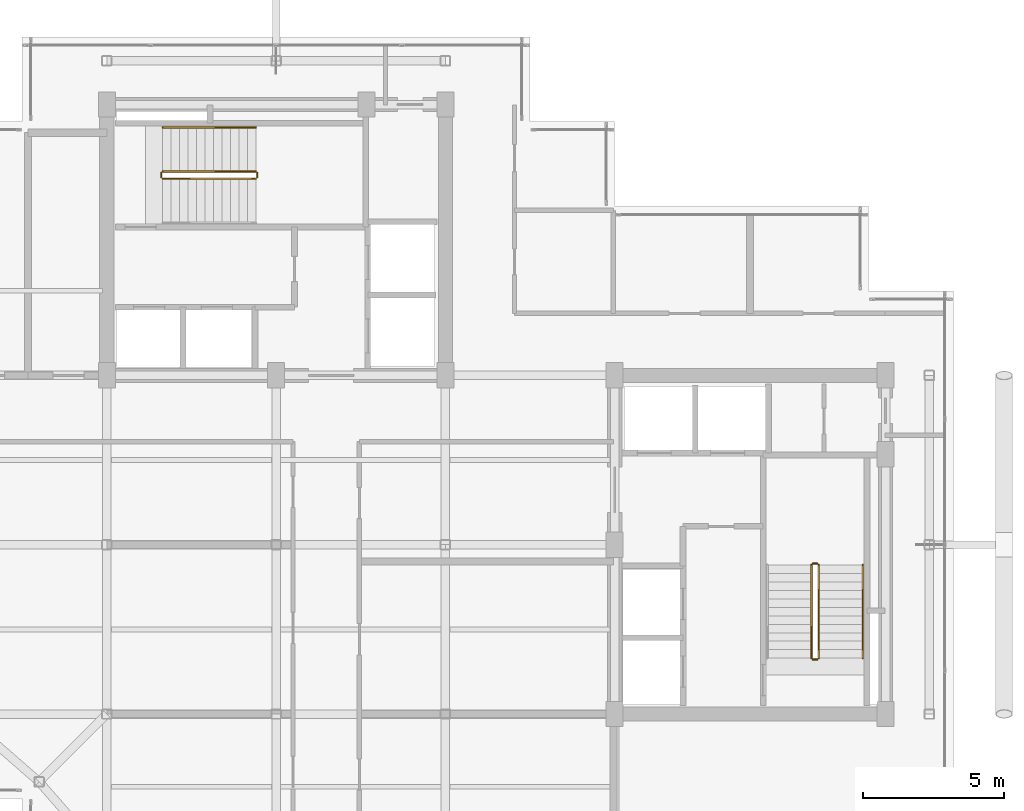
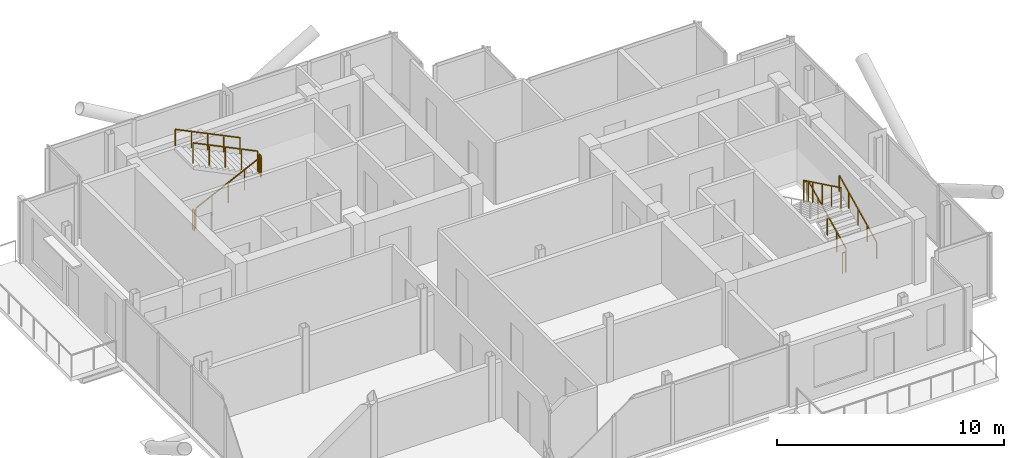
# One storey, part 18 of 18: 10 railings.
"""IFC4 building model written with IfcOpenShell, lengths in metres."""

import ifcopenshell
import ifcopenshell.guid

model = None  # the IFC model being written
_history = None  # IfcOwnerHistory: only IFC2X3 demands one
_inside = {}  # id of a spatial element -> (the spatial element, [elements in it])
_under = {}  # id of a project, library or spatial element -> (it, [spatial elements below it])
_declared = {}  # id of a project -> (the project, [libraries it declares])
_typed = {}  # id of a type object -> (the type object, [elements of that type])
_made_of = {}  # id of a material, layer set ... -> (it, [elements and type objects made of it])


def new_model(schema):
    """Start an empty IFC model of exactly this schema.

    Asked for "IFC4X3", IfcOpenShell would pick the latest addendum, in which some entities
    have other attributes; the version numbers below select the first issue.
    IFC2X3 requires an IfcOwnerHistory on every rooted entity: one is made here for all.
    """
    global model, _history
    if schema == "IFC4X3":
        model = ifcopenshell.file(schema_version=(4, 3, 0, 0))
    else:
        model = ifcopenshell.file(schema=schema)
    _inside.clear()
    _under.clear()
    _declared.clear()
    _typed.clear()
    _made_of.clear()
    _history = None
    if model.schema == "IFC2X3":
        org = make("IfcOrganization", Name="unknown")
        user = make(
            "IfcPersonAndOrganization",
            ThePerson=make("IfcPerson", FamilyName="unknown"),
            TheOrganization=org,
        )
        app = make(
            "IfcApplication",
            ApplicationDeveloper=org,
            Version="unknown",
            ApplicationFullName="unknown",
            ApplicationIdentifier="unknown",
        )
        _history = make(
            "IfcOwnerHistory",
            OwningUser=user,
            OwningApplication=app,
            ChangeAction="ADDED",
            CreationDate=0,
        )
    return model


def make(cls, **values):
    """One entity of the class cls with the attributes given. An attribute that is None is left unset."""
    return model.create_entity(
        cls, **{name: value for name, value in values.items() if value is not None}
    )


def rooted(cls, **values):
    """An entity with a GlobalId (a new one), such as an element, a storey or a relation."""
    return make(cls, GlobalId=ifcopenshell.guid.new(), OwnerHistory=_history, **values)


def si_unit(unit_type, name, prefix=None):
    """IfcSIUnit, for example si_unit("LENGTHUNIT", "METRE", prefix="MILLI")."""
    return make("IfcSIUnit", UnitType=unit_type, Prefix=prefix, Name=name)


def assignment(units):
    """IfcUnitAssignment: the units of a project."""
    return None if units is None else make("IfcUnitAssignment", Units=units)


def point(xyz):
    """IfcCartesianPoint."""
    return None if xyz is None else make("IfcCartesianPoint", Coordinates=xyz)


def direction(xyz):
    """IfcDirection."""
    return None if xyz is None else make("IfcDirection", DirectionRatios=xyz)


def frame(location, z_axis=None, x_axis=None):
    """IfcAxis2Placement3D, a coordinate frame: its origin and axes. An axis left out is left unset."""
    return make(
        "IfcAxis2Placement3D",
        Location=point(location),
        Axis=direction(z_axis),
        RefDirection=direction(x_axis),
    )


def frame_2d(location, x_axis=None):
    """IfcAxis2Placement2D, a coordinate frame in the plane: its origin and x axis."""
    return make(
        "IfcAxis2Placement2D", Location=point(location), RefDirection=direction(x_axis)
    )


def origin():
    """The frame at (0, 0, 0) with its axes left unset."""
    return frame((0.0, 0.0, 0.0))


def origin_2d():
    """The frame at (0, 0) in the plane with its x axis left unset."""
    return frame_2d((0.0, 0.0))


def place(relative_to, where):
    """IfcLocalPlacement: puts the frame where relative to a parent placement (None: the world)."""
    return make(
        "IfcLocalPlacement", PlacementRelTo=relative_to, RelativePlacement=where
    )


def context(
    kind, dimensions, precision=None, world=None, true_north=None, identifier=None
):
    """IfcGeometricRepresentationContext, for example the 3D "Model" context."""
    return make(
        "IfcGeometricRepresentationContext",
        ContextIdentifier=identifier,
        ContextType=kind,
        CoordinateSpaceDimension=dimensions,
        Precision=precision,
        WorldCoordinateSystem=world,
        TrueNorth=true_north,
    )


def subcontext(parent, identifier, kind, view, scale=None):
    """IfcGeometricRepresentationSubContext, for example "Body" below "Model"."""
    return make(
        "IfcGeometricRepresentationSubContext",
        ContextIdentifier=identifier,
        ContextType=kind,
        ParentContext=parent,
        TargetScale=scale,
        TargetView=view,
    )


def project(units=None, contexts=None):
    """IfcProject with its units and contexts."""
    return rooted(
        "IfcProject",
        Name="project",
        RepresentationContexts=contexts,
        UnitsInContext=assignment(units),
    )


def spatial(cls, under=None, at=None, **own):
    """A site, building, storey or space (cls), placed at a placement, below another one or the project."""
    s = rooted(cls, ObjectPlacement=at, **own)
    if under is not None:
        _under.setdefault(under.id(), (under, []))[1].append(s)
    return s


def profile(cls, at=None, kind="AREA", **sizes):
    """A parametric profile (cls). Its sizes go by their IFC names, for example OverallWidth=200.0."""
    return make(cls, ProfileType=kind, Position=at, **sizes)


def rectangle(**sizes):
    """IfcRectangleProfileDef."""
    return profile("IfcRectangleProfileDef", **sizes)


def extrude(swept, where, along, depth):
    """IfcExtrudedAreaSolid: the profile swept, set in the frame where, extruded along a direction by depth."""
    return make(
        "IfcExtrudedAreaSolid",
        SweptArea=swept,
        Position=where,
        ExtrudedDirection=direction(along),
        Depth=depth,
    )


def shape(context_of_items, identifier, shape_type, items):
    """IfcShapeRepresentation: the items that make up one representation, for example the "Body"."""
    return make(
        "IfcShapeRepresentation",
        ContextOfItems=context_of_items,
        RepresentationIdentifier=identifier,
        RepresentationType=shape_type,
        Items=items,
    )


def material(Name=None, Category=None):
    """IfcMaterial."""
    return make("IfcMaterial", Name=Name, Category=Category)


def made_of(thing, what):
    """Note that an element or type object is made of a material, layer set ...; save() writes the relation."""
    if what is not None:
        _made_of.setdefault(what.id(), (what, []))[1].append(thing)
    return thing


def type_object(cls, material=None, **own):
    """A type object (cls), such as IfcWallType, which elements share."""
    return made_of(rooted(cls, **own), material)


def element(
    cls,
    number,
    at=None,
    inside=None,
    cuts=None,
    type_object=None,
    material=None,
    context=None,
    identifier="Body",
    shape_type=None,
    held_by="IfcProductDefinitionShape",
    body=None,
    shapes=None,
    **own,
):
    """One element of the class cls, such as IfcWall. Its Tag is "e" and its number.

    at: its placement. inside: the storey or other place that contains it. cuts: it is an
    opening in that element (IfcRelVoidsElement). A single representation is given by context,
    identifier, shape_type and body (its items); several are given by shapes. held_by: the class
    of the entity that holds the representations. save() writes the other relations.
    """
    e = rooted(cls, Tag="e%d" % number, ObjectPlacement=at, **own)
    if body is not None:
        shapes = [shape(context, identifier, shape_type, body)]
    if shapes is not None:
        e.Representation = make(held_by, Representations=shapes)
    if inside is not None:
        _inside.setdefault(inside.id(), (inside, []))[1].append(e)
    if cuts is not None:
        rooted(
            "IfcRelVoidsElement", RelatingBuildingElement=cuts, RelatedOpeningElement=e
        )
    if type_object is not None:
        _typed.setdefault(type_object.id(), (type_object, []))[1].append(e)
    return made_of(e, material)


def aggregate(whole, parts):
    """IfcRelAggregates: a whole, such as a stair, and the parts it consists of."""
    return rooted("IfcRelAggregates", RelatingObject=whole, RelatedObjects=parts)


def save(model, path):
    """Write the relations noted so far, then the file.

    IfcRelAggregates (storeys below a building ...), IfcRelContainedInSpatialStructure (elements
    in a storey), IfcRelDefinesByType, IfcRelAssociatesMaterial and IfcRelDeclares: one each for
    every whole, place, type object, material and project.
    """
    for whole, parts in _under.values():
        aggregate(whole, parts)
    for where, things in _inside.values():
        rooted(
            "IfcRelContainedInSpatialStructure",
            RelatedElements=things,
            RelatingStructure=where,
        )
    for kind, things in _typed.values():
        rooted("IfcRelDefinesByType", RelatedObjects=things, RelatingType=kind)
    for what, things in _made_of.values():
        rooted("IfcRelAssociatesMaterial", RelatedObjects=things, RelatingMaterial=what)
    for by, libraries in _declared.values():
        rooted("IfcRelDeclares", RelatingContext=by, RelatedDefinitions=libraries)
    model.write(path)


model = new_model("IFC4")

# Units and contexts
model_context = context("Model", 3, precision=1e-05, world=origin(), true_north=direction((0.0, 1.0)))
body_context = subcontext(model_context, "Body", "Model", "MODEL_VIEW")
ifc_project = project(units=[si_unit("LENGTHUNIT", "METRE"), si_unit("AREAUNIT", "SQUARE_METRE"), si_unit("VOLUMEUNIT", "CUBIC_METRE"), si_unit("PLANEANGLEUNIT", "RADIAN"), si_unit("MASSUNIT", "GRAM", prefix="KILO"), si_unit("THERMODYNAMICTEMPERATUREUNIT", "KELVIN"), si_unit("POWERUNIT", "WATT")], contexts=[model_context])

# Site, building, storey
site_placement = place(None, origin())
site = spatial("IfcSite", under=ifc_project, at=site_placement, CompositionType="ELEMENT")
building_placement = place(site_placement, origin())
building = spatial("IfcBuilding", under=site, at=building_placement, Name="Svarakhadi Broadcast Tower", CompositionType="ELEMENT")
storey_placement = place(building_placement, frame((0.0, 0.0, 288.699951171875)))
storey = spatial("IfcBuildingStorey", under=building, at=storey_placement, Name="L73", CompositionType="ELEMENT", Elevation=288.699951171875)

# Railings
ifc_material = material(Name="Anodised Bronze Aluminium AA 6063-T6", Category="aluminium")
railing_type_1 = type_object("IfcRailingType", Name="Guard_Stair_GR01", PredefinedType="GUARDRAIL", material=ifc_material)
railing_1_placement = place(storey_placement, frame((7.97998046875, 24.969970703125, 0.14599609375)))
element("IfcRailing", 1, at=railing_1_placement, inside=storey, type_object=railing_type_1, Name="L73 ST-01 stair guard 1", PredefinedType="GUARDRAIL", context=body_context, shape_type="SweptSolid", body=[
    extrude(rectangle(XDim=0.048095703125, YDim=0.048095703125, at=origin_2d()), frame((0.0, 0.0, 1.09619140625), z_axis=(0.899387838337, 0.0, 0.437151594131), x_axis=(0.0, 1.0, 0.0)), (0.0, 0.0, 1.0), 3.669189453125),
    extrude(rectangle(XDim=0.0419921875, YDim=0.0419921875, at=origin_2d()), origin(), (0.0, 0.0, 1.0), 1.072021484375),
    extrude(rectangle(XDim=0.0419921875, YDim=0.0419921875, at=origin_2d()), frame((0.824951171875, 0.0, 0.40087890625)), (0.0, 0.0, 1.0), 1.072021484375),
    extrude(rectangle(XDim=0.0419921875, YDim=0.0419921875, at=origin_2d()), frame((1.64990234375, 0.0, 0.802001953125)), (0.0, 0.0, 1.0), 1.072021484375),
    extrude(rectangle(XDim=0.0419921875, YDim=0.0419921875, at=origin_2d()), frame((2.47509765625, 0.0, 1.203125)), (0.0, 0.0, 1.0), 1.072021484375),
    extrude(rectangle(XDim=0.0419921875, YDim=0.0419921875, at=origin_2d()), frame((3.300048828125, 0.0, 1.60400390625)), (0.0, 0.0, 1.0), 1.072021484375),
])
railing_2_placement = place(storey_placement, frame((11.330078125, 25.02001953125, 1.75)))
element("IfcRailing", 2, at=railing_2_placement, inside=storey, type_object=railing_type_1, Name="L73 ST-01 stair guard 2", PredefinedType="GUARDRAIL", context=body_context, shape_type="SweptSolid", body=[
    extrude(rectangle(XDim=0.048095703125, YDim=0.048095703125, at=origin_2d()), frame((0.0, 0.0, 1.09619140625), z_axis=(0.0, 1.0, 0.0), x_axis=(-1.0, 0.0, 0.0)), (0.0, 0.0, 1.0), 0.159912109375),
    extrude(rectangle(XDim=0.0419921875, YDim=0.0419921875, at=origin_2d()), origin(), (0.0, 0.0, 1.0), 1.072021484375),
    extrude(rectangle(XDim=0.0419921875, YDim=0.0419921875, at=origin_2d()), frame((0.0, 0.159912109375, 0.0)), (0.0, 0.0, 1.0), 1.072021484375),
])
railing_3_placement = place(storey_placement, frame((11.280029296875, 25.22998046875, 1.89599609375)))
element("IfcRailing", 3, at=railing_3_placement, inside=storey, type_object=railing_type_1, Name="L73 ST-01 stair guard 3", PredefinedType="GUARDRAIL", context=body_context, shape_type="SweptSolid", body=[
    extrude(rectangle(XDim=0.048095703125, YDim=0.048095703125, at=origin_2d()), frame((0.0, 0.0, 1.09619140625), z_axis=(-0.899387838337, 0.0, 0.437151594131), x_axis=(0.0, -1.0, 0.0)), (0.0, 0.0, 1.0), 3.669189453125),
    extrude(rectangle(XDim=0.0419921875, YDim=0.0419921875, at=origin_2d()), origin(), (0.0, 0.0, 1.0), 1.072021484375),
    extrude(rectangle(XDim=0.0419921875, YDim=0.0419921875, at=origin_2d()), frame((-0.824951171875, 0.0, 0.40087890625)), (0.0, 0.0, 1.0), 1.072021484375),
    extrude(rectangle(XDim=0.0419921875, YDim=0.0419921875, at=origin_2d()), frame((-1.64990234375, 0.0, 0.802001953125)), (0.0, 0.0, 1.0), 1.072021484375),
    extrude(rectangle(XDim=0.0419921875, YDim=0.0419921875, at=origin_2d()), frame((-2.47509765625, 0.0, 1.203125)), (0.0, 0.0, 1.0), 1.072021484375),
    extrude(rectangle(XDim=0.0419921875, YDim=0.0419921875, at=origin_2d()), frame((-3.300048828125, 0.0, 1.60400390625)), (0.0, 0.0, 1.0), 1.072021484375),
])
railing_4_placement = place(storey_placement, frame((7.929931640625, 25.02001953125, 0.0)))
element("IfcRailing", 4, at=railing_4_placement, inside=storey, type_object=railing_type_1, Name="L73 ST-01 stair guard 4", PredefinedType="GUARDRAIL", context=body_context, shape_type="SweptSolid", body=[
    extrude(rectangle(XDim=0.048095703125, YDim=0.048095703125, at=origin_2d()), frame((0.0, 0.0, 1.09619140625), z_axis=(0.0, 1.0, 0.0), x_axis=(-1.0, 0.0, 0.0)), (0.0, 0.0, 1.0), 0.159912109375),
    extrude(rectangle(XDim=0.0419921875, YDim=0.0419921875, at=origin_2d()), origin(), (0.0, 0.0, 1.0), 1.072021484375),
    extrude(rectangle(XDim=0.0419921875, YDim=0.0419921875, at=origin_2d()), frame((0.0, 0.159912109375, 0.0)), (0.0, 0.0, 1.0), 1.072021484375),
])
railing_5_placement = place(storey_placement, frame((31.22998046875, 7.97998046875, 0.14599609375)))
element("IfcRailing", 5, at=railing_5_placement, inside=storey, type_object=railing_type_1, Name="L73 ST-02 stair guard 1", PredefinedType="GUARDRAIL", context=body_context, shape_type="SweptSolid", body=[
    extrude(rectangle(XDim=0.048095703125, YDim=0.048095703125, at=origin_2d()), frame((0.0, 0.0, 1.09619140625), z_axis=(0.0, 0.899387838337, 0.437151594131), x_axis=(-1.0, 0.0, 0.0)), (0.0, 0.0, 1.0), 3.669189453125),
    extrude(rectangle(XDim=0.0419921875, YDim=0.0419921875, at=origin_2d()), origin(), (0.0, 0.0, 1.0), 1.072021484375),
    extrude(rectangle(XDim=0.0419921875, YDim=0.0419921875, at=origin_2d()), frame((0.0, 0.824951171875, 0.40087890625)), (0.0, 0.0, 1.0), 1.072021484375),
    extrude(rectangle(XDim=0.0419921875, YDim=0.0419921875, at=origin_2d()), frame((0.0, 1.64990234375, 0.802001953125)), (0.0, 0.0, 1.0), 1.072021484375),
    extrude(rectangle(XDim=0.0419921875, YDim=0.0419921875, at=origin_2d()), frame((0.0, 2.47509765625, 1.203125)), (0.0, 0.0, 1.0), 1.072021484375),
    extrude(rectangle(XDim=0.0419921875, YDim=0.0419921875, at=origin_2d()), frame((0.0, 3.300048828125, 1.60400390625)), (0.0, 0.0, 1.0), 1.072021484375),
])
railing_6_placement = place(storey_placement, frame((31.179931640625, 11.330078125, 1.75)))
element("IfcRailing", 6, at=railing_6_placement, inside=storey, type_object=railing_type_1, Name="L73 ST-02 stair guard 2", PredefinedType="GUARDRAIL", context=body_context, shape_type="SweptSolid", body=[
    extrude(rectangle(XDim=0.048095703125, YDim=0.048095703125, at=origin_2d()), frame((0.0, 0.0, 1.09619140625), z_axis=(-1.0, 0.0, 0.0), x_axis=(0.0, -1.0, 0.0)), (0.0, 0.0, 1.0), 0.159912109375),
    extrude(rectangle(XDim=0.0419921875, YDim=0.0419921875, at=origin_2d()), origin(), (0.0, 0.0, 1.0), 1.072021484375),
    extrude(rectangle(XDim=0.0419921875, YDim=0.0419921875, at=origin_2d()), frame((-0.159912109375, 0.0, 0.0)), (0.0, 0.0, 1.0), 1.072021484375),
])
railing_7_placement = place(storey_placement, frame((30.969970703125, 11.280029296875, 1.89599609375)))
element("IfcRailing", 7, at=railing_7_placement, inside=storey, type_object=railing_type_1, Name="L73 ST-02 stair guard 3", PredefinedType="GUARDRAIL", context=body_context, shape_type="SweptSolid", body=[
    extrude(rectangle(XDim=0.048095703125, YDim=0.048095703125, at=origin_2d()), frame((0.0, 0.0, 1.09619140625), z_axis=(0.0, -0.899387838337, 0.437151594131), x_axis=(1.0, 0.0, 0.0)), (0.0, 0.0, 1.0), 3.669189453125),
    extrude(rectangle(XDim=0.0419921875, YDim=0.0419921875, at=origin_2d()), origin(), (0.0, 0.0, 1.0), 1.072021484375),
    extrude(rectangle(XDim=0.0419921875, YDim=0.0419921875, at=origin_2d()), frame((0.0, -0.824951171875, 0.40087890625)), (0.0, 0.0, 1.0), 1.072021484375),
    extrude(rectangle(XDim=0.0419921875, YDim=0.0419921875, at=origin_2d()), frame((0.0, -1.64990234375, 0.802001953125)), (0.0, 0.0, 1.0), 1.072021484375),
    extrude(rectangle(XDim=0.0419921875, YDim=0.0419921875, at=origin_2d()), frame((0.0, -2.47509765625, 1.203125)), (0.0, 0.0, 1.0), 1.072021484375),
    extrude(rectangle(XDim=0.0419921875, YDim=0.0419921875, at=origin_2d()), frame((0.0, -3.300048828125, 1.60400390625)), (0.0, 0.0, 1.0), 1.072021484375),
])
railing_8_placement = place(storey_placement, frame((31.179931640625, 7.929931640625, 0.0)))
element("IfcRailing", 8, at=railing_8_placement, inside=storey, type_object=railing_type_1, Name="L73 ST-02 stair guard 4", PredefinedType="GUARDRAIL", context=body_context, shape_type="SweptSolid", body=[
    extrude(rectangle(XDim=0.048095703125, YDim=0.048095703125, at=origin_2d()), frame((0.0, 0.0, 1.09619140625), z_axis=(-1.0, 0.0, 0.0), x_axis=(0.0, -1.0, 0.0)), (0.0, 0.0, 1.0), 0.159912109375),
    extrude(rectangle(XDim=0.0419921875, YDim=0.0419921875, at=origin_2d()), origin(), (0.0, 0.0, 1.0), 1.072021484375),
    extrude(rectangle(XDim=0.0419921875, YDim=0.0419921875, at=origin_2d()), frame((-0.159912109375, 0.0, 0.0)), (0.0, 0.0, 1.0), 1.072021484375),
])
railing_type_2 = type_object("IfcRailingType", Name="Handrail_Stair_HR01", PredefinedType="HANDRAIL", material=ifc_material)
railing_9_placement = place(storey_placement, frame((11.280029296875, 26.7900390625, 1.89599609375)))
element("IfcRailing", 9, at=railing_9_placement, inside=storey, type_object=railing_type_2, Name="L73 ST-01 stair handrail 2", PredefinedType="HANDRAIL", context=body_context, shape_type="SweptSolid", body=[
    extrude(rectangle(XDim=0.048095703125, YDim=0.048095703125, at=origin_2d()), frame((0.0, 0.0, 0.8759765625), z_axis=(-0.899387838337, 0.0, 0.437151594131), x_axis=(0.0, -1.0, 0.0)), (0.0, 0.0, 1.0), 3.669189453125),
    extrude(rectangle(XDim=0.0419921875, YDim=0.0419921875, at=origin_2d()), origin(), (0.0, 0.0, 1.0), 0.851806640625),
    extrude(rectangle(XDim=0.0419921875, YDim=0.0419921875, at=origin_2d()), frame((-0.824951171875, 0.0, 0.40087890625)), (0.0, 0.0, 1.0), 0.851806640625),
    extrude(rectangle(XDim=0.0419921875, YDim=0.0419921875, at=origin_2d()), frame((-1.64990234375, 0.0, 0.802001953125)), (0.0, 0.0, 1.0), 0.851806640625),
    extrude(rectangle(XDim=0.0419921875, YDim=0.0419921875, at=origin_2d()), frame((-2.47509765625, 0.0, 1.203125)), (0.0, 0.0, 1.0), 0.851806640625),
    extrude(rectangle(XDim=0.0419921875, YDim=0.0419921875, at=origin_2d()), frame((-3.300048828125, 0.0, 1.60400390625)), (0.0, 0.0, 1.0), 0.851806640625),
])
railing_10_placement = place(storey_placement, frame((32.7900390625, 7.97998046875, 0.14599609375)))
element("IfcRailing", 10, at=railing_10_placement, inside=storey, type_object=railing_type_2, Name="L73 ST-02 stair handrail 1", PredefinedType="HANDRAIL", context=body_context, shape_type="SweptSolid", body=[
    extrude(rectangle(XDim=0.048095703125, YDim=0.048095703125, at=origin_2d()), frame((0.0, 0.0, 0.8759765625), z_axis=(0.0, 0.899387838337, 0.437151594131), x_axis=(-1.0, 0.0, 0.0)), (0.0, 0.0, 1.0), 3.669189453125),
    extrude(rectangle(XDim=0.0419921875, YDim=0.0419921875, at=origin_2d()), origin(), (0.0, 0.0, 1.0), 0.851806640625),
    extrude(rectangle(XDim=0.0419921875, YDim=0.0419921875, at=origin_2d()), frame((0.0, 0.824951171875, 0.40087890625)), (0.0, 0.0, 1.0), 0.851806640625),
    extrude(rectangle(XDim=0.0419921875, YDim=0.0419921875, at=origin_2d()), frame((0.0, 1.64990234375, 0.802001953125)), (0.0, 0.0, 1.0), 0.851806640625),
    extrude(rectangle(XDim=0.0419921875, YDim=0.0419921875, at=origin_2d()), frame((0.0, 2.47509765625, 1.203125)), (0.0, 0.0, 1.0), 0.851806640625),
    extrude(rectangle(XDim=0.0419921875, YDim=0.0419921875, at=origin_2d()), frame((0.0, 3.300048828125, 1.60400390625)), (0.0, 0.0, 1.0), 0.851806640625),
])

save(model, "model.ifc")
